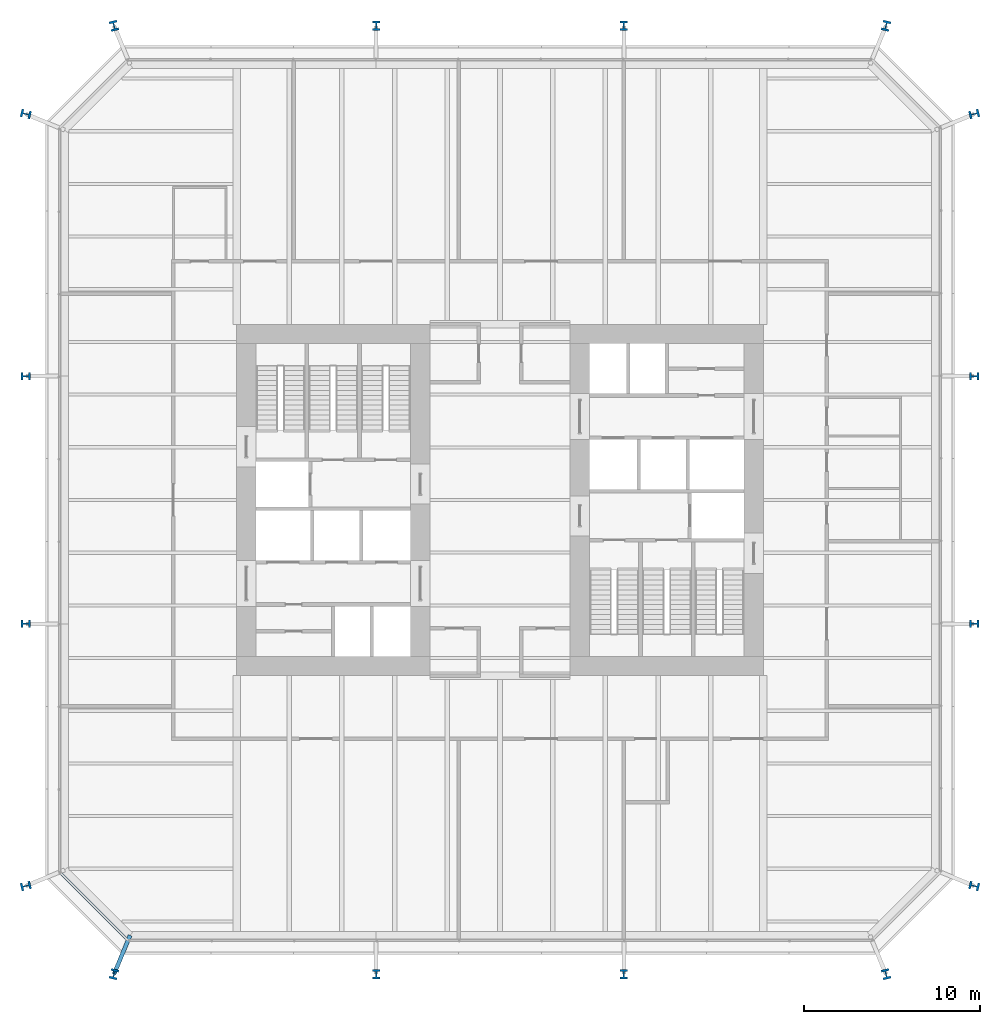
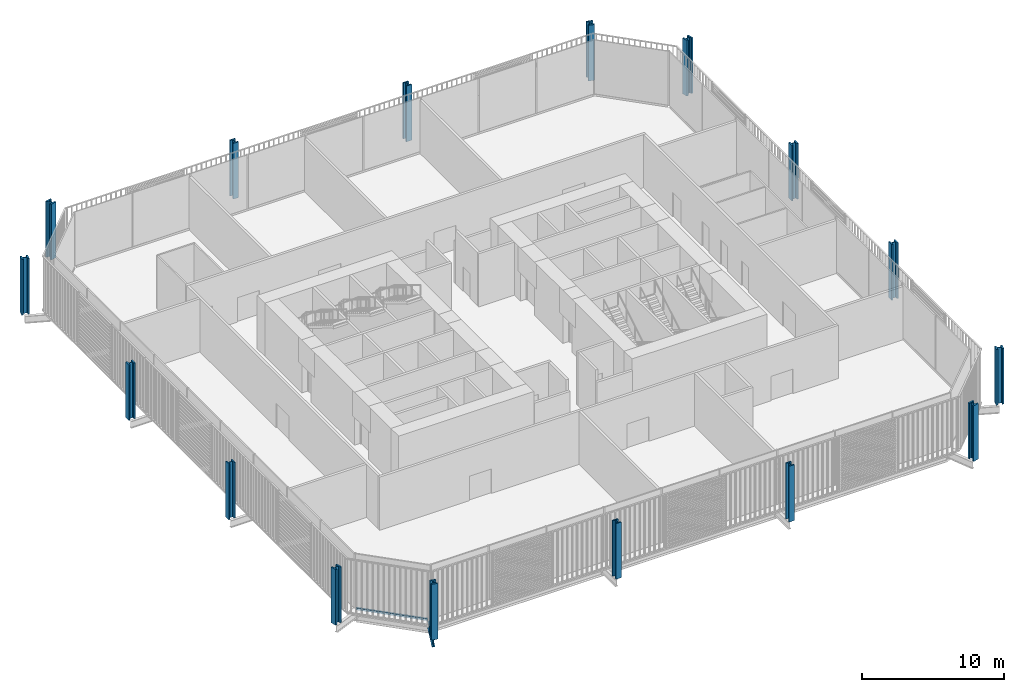
# One storey, part 1 of 22: 16 columns, 1 beam, 1 member, 1 element without a shape of its own.
"""IFC4 building model written with IfcOpenShell, lengths in metres."""

from ifc_helpers import new_model, si_unit, direction, frame, origin, origin_2d, place, context, subcontext, project, spatial, rectangle, i_section, extrude, material, layer, layer_set, material_profile, profile_set, type_object, element, aggregate, save


model = new_model("IFC4")

# Units and contexts
model_context = context("Model", 3, precision=1e-05, world=origin(), true_north=direction((0.0, 1.0)))
body_context = subcontext(model_context, "Body", "Model", "MODEL_VIEW")
ifc_project = project(units=[si_unit("LENGTHUNIT", "METRE"), si_unit("AREAUNIT", "SQUARE_METRE"), si_unit("VOLUMEUNIT", "CUBIC_METRE"), si_unit("PLANEANGLEUNIT", "RADIAN"), si_unit("MASSUNIT", "GRAM", prefix="KILO")], contexts=[model_context])

# Site, building, storey
site_placement = place(None, origin())
site = spatial("IfcSite", under=ifc_project, at=site_placement, CompositionType="ELEMENT")
building_placement = place(site_placement, origin())
building = spatial("IfcBuilding", under=site, at=building_placement, Name="Millrace Tower", CompositionType="ELEMENT")
storey_placement = place(building_placement, frame((0.0, 0.0, 40.10009765625)))
storey = spatial("IfcBuildingStorey", under=building, at=storey_placement, Name="L09", CompositionType="ELEMENT", Elevation=40.10009765625)

# Columns
ifc_material_1 = material(Name="Steel ASTM A913 Grade 65", Category="steel")
ifc_material_profile_1 = material_profile(ifc_material_1, i_section(OverallWidth=0.44189453125, OverallDepth=0.53076171875, WebThickness=0.06591796875, FlangeThickness=0.105712890625, FilletRadius=0.01513671875, at=origin_2d()))
ifc_profile_set_1 = profile_set([ifc_material_profile_1], Name="Steel ASTM A913 Grade 65")
column_type_1 = type_object("IfcColumnType", Name="Exoskeleton column W14x605", PredefinedType="COLUMN", material=ifc_profile_set_1)
for number, where, z_axis, x_axis, name in (
    (1, (-7.050048828125, -27.0, 0.0), (0.0, 0.0, 1.0), (1.0, 0.0, 0.0), "COL-A-L09-X03"),
    (2, (7.050048828125, -27.0, 0.0), (0.0, 0.0, 1.0), (1.0, 0.0, 0.0), "COL-A-L09-X04"),
    (3, (27.0, -7.050048828125, 0.0), (0.0, 0.0, 1.0), (0.0, 1.0, 0.0), "COL-A-L09-X07"),
    (4, (27.0, 7.050048828125, 0.0), (0.0, 0.0, 1.0), (0.0, 1.0, 0.0), "COL-A-L09-X08"),
    (5, (7.050048828125, 27.0, 0.0), (0.0, 0.0, 1.0), (-1.0, 0.0, 0.0), "COL-A-L09-X11"),
    (6, (-7.050048828125, 27.0, 0.0), (0.0, 0.0, 1.0), (-1.0, 0.0, 0.0), "COL-A-L09-X12"),
    (7, (-27.0, 7.050048828125, 0.0), (0.0, 0.0, 1.0), (0.0, -1.0, 0.0), "COL-A-L09-X15"),
    (8, (-27.0, -7.050048828125, 0.0), (0.0, 0.0, 1.0), (0.0, -1.0, 0.0), "COL-A-L09-X16"),
):
    element("IfcColumn", number, at=place(storey_placement, frame(where, z_axis=z_axis, x_axis=x_axis)), inside=storey, type_object=column_type_1, Name=name, PredefinedType="COLUMN", context=body_context, shape_type="SweptSolid", body=[
        extrude(i_section(OverallWidth=0.44189453125, OverallDepth=0.53076171875, WebThickness=0.06591796875, FlangeThickness=0.105712890625, FilletRadius=0.01513671875, at=origin_2d()), origin(), (0.0, 0.0, 1.0), 4.7998046875),
    ])
ifc_material_2 = material(Name="Steel ASTM A913 Grade 65", Category="steel")
ifc_material_profile_2 = material_profile(ifc_material_2, i_section(OverallWidth=0.45458984375, OverallDepth=0.56884765625, WebThickness=0.077880859375, FlangeThickness=0.124755859375, FilletRadius=0.01513671875, at=origin_2d()))
ifc_profile_set_2 = profile_set([ifc_material_profile_2], Name="Steel ASTM A913 Grade 65")
column_type_2 = type_object("IfcColumnType", Name="Exoskeleton column W14x730", PredefinedType="COLUMN", material=ifc_profile_set_2)
for number, where, z_axis, x_axis, name in (
    (9, (-27.0, -21.978515625, 0.0), (0.0, 0.0, 1.0), (0.244094142872, -0.969751540043, 0.0), "COL-A-L09-X01"),
    (10, (-21.978515625, -27.0, 0.0), (0.0, 0.0, 1.0), (0.969751540043, -0.244094142872, 0.0), "COL-A-L09-X02"),
    (11, (21.978515625, -27.0, 0.0), (0.0, 0.0, 1.0), (0.969751540043, 0.244094142872, 0.0), "COL-A-L09-X05"),
    (12, (27.0, -21.978515625, 0.0), (0.0, 0.0, 1.0), (0.244094142872, 0.969751540043, 0.0), "COL-A-L09-X06"),
    (13, (27.0, 21.978515625, 0.0), (0.0, 0.0, 1.0), (-0.244094142872, 0.969751540043, 0.0), "COL-A-L09-X09"),
    (14, (21.978515625, 27.0, 0.0), (0.0, 0.0, 1.0), (-0.969751540043, 0.244094142872, 0.0), "COL-A-L09-X10"),
    (15, (-21.978515625, 27.0, 0.0), (0.0, 0.0, 1.0), (-0.969751540043, -0.244094142872, 0.0), "COL-A-L09-X13"),
    (16, (-27.0, 21.978515625, 0.0), (0.0, 0.0, 1.0), (-0.244094142872, -0.969751540043, 0.0), "COL-A-L09-X14"),
):
    element("IfcColumn", number, at=place(storey_placement, frame(where, z_axis=z_axis, x_axis=x_axis)), inside=storey, type_object=column_type_2, Name=name, PredefinedType="COLUMN", context=body_context, shape_type="SweptSolid", body=[
        extrude(i_section(OverallWidth=0.45458984375, OverallDepth=0.56884765625, WebThickness=0.077880859375, FlangeThickness=0.124755859375, FilletRadius=0.01513671875, at=origin_2d()), origin(), (0.0, 0.0, 1.0), 4.7998046875),
    ])

# Curtain wall, member
ifc_material_3 = material(Name="Aluminium and glass", Category="aluminium")
ifc_layer = layer(ifc_material_3, 0.14990234375)
ifc_layer_set = layer_set([ifc_layer], Name="Aluminium and glass")
curtain_wall_type = type_object("IfcCurtainWallType", Name="CW-2 data hall insulated curtain wall", PredefinedType="NOTDEFINED", material=ifc_layer_set)
curtain_wall_placement = place(storey_placement, origin())
curtain_wall = element("IfcCurtainWall", 17, at=curtain_wall_placement, inside=storey, type_object=curtain_wall_type, Name="Curtain wall A-F01 L09", PredefinedType="NOTDEFINED")
ifc_material_4 = material(Name="Aluminium", Category="aluminium")
ifc_material_profile_3 = material_profile(ifc_material_4, rectangle(XDim=0.14990234375, YDim=0.159912109375, at=origin_2d()))
ifc_profile_set_3 = profile_set([ifc_material_profile_3], Name="Aluminium")
member_type = type_object("IfcMemberType", Name="CW-2 data hall insulated curtain wall transom", PredefinedType="USERDEFINED", material=ifc_profile_set_3)
member_placement = place(storey_placement, frame((-24.982421875, -21.273681640625, 0.079833984375), z_axis=(0.707106781187, -0.707106781187, 0.0), x_axis=(0.707106781187, 0.707106781187, 0.0)))
member = element("IfcMember", 18, at=member_placement, type_object=member_type, Name="CW2 transom A-F01.1", ObjectType="TRANSOM", PredefinedType="USERDEFINED", context=body_context, shape_type="SweptSolid", body=[
    extrude(rectangle(XDim=0.14990234375, YDim=0.159912109375, at=origin_2d()), origin(), (0.0, 0.0, 1.0), 5.244873046875),
])
aggregate(curtain_wall, [member])

# Beam
ifc_material_5 = material(Name="Steel ASTM A992 Grade 50", Category="steel")
ifc_material_profile_4 = material_profile(ifc_material_5, i_section(OverallWidth=0.23046875, OverallDepth=0.6171875, WebThickness=0.01318359375, FlangeThickness=0.022216796875, FilletRadius=0.012939453125, at=origin_2d()))
ifc_profile_set_4 = profile_set([ifc_material_profile_4], Name="Steel ASTM A992 Grade 50")
beam_type = type_object("IfcBeamType", Name="Link beam W24x94", PredefinedType="BEAM", material=ifc_profile_set_4)
beam_placement = place(storey_placement, frame((-21.062744140625, -24.7890625, -0.53369140625), z_axis=(-0.382673155247, -0.923883789366, 0.0), x_axis=(0.923883789366, -0.382673155247, 0.0)))
element("IfcBeam", 19, at=beam_placement, inside=storey, type_object=beam_type, Name="LNK-A-L09-S1-16", PredefinedType="BEAM", context=body_context, shape_type="SweptSolid", body=[
    extrude(i_section(OverallWidth=0.23046875, OverallDepth=0.6171875, WebThickness=0.01318359375, FlangeThickness=0.022216796875, FilletRadius=0.012939453125, at=origin_2d()), origin(), (0.0, 0.0, 1.0), 2.39306640625),
])

save(model, "model.ifc")
